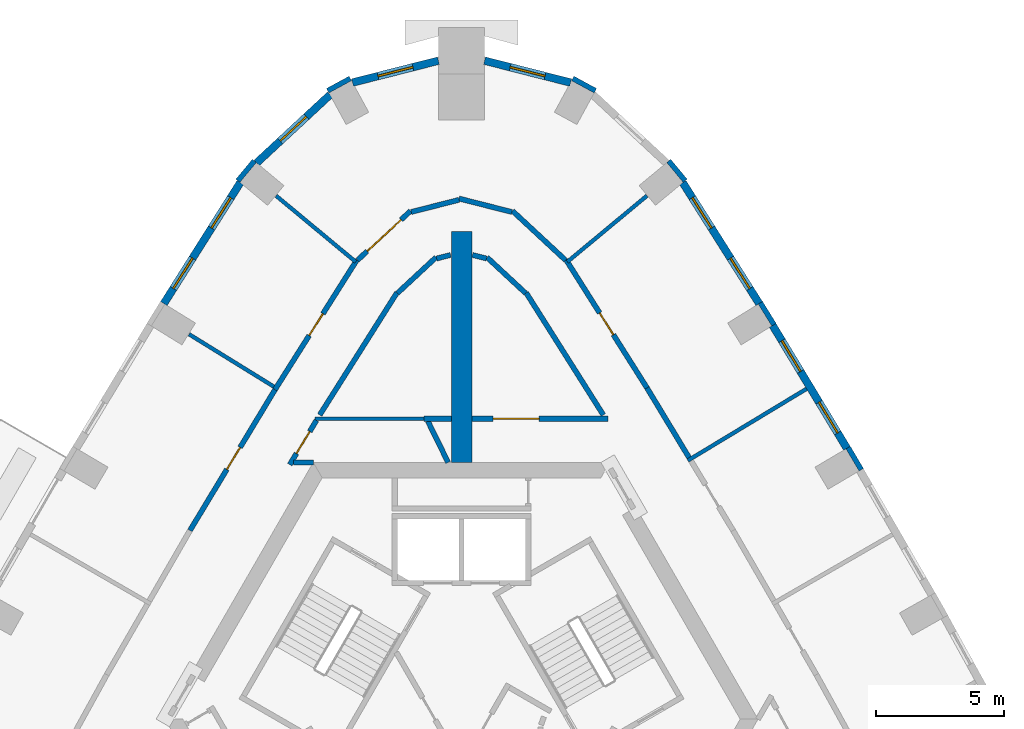
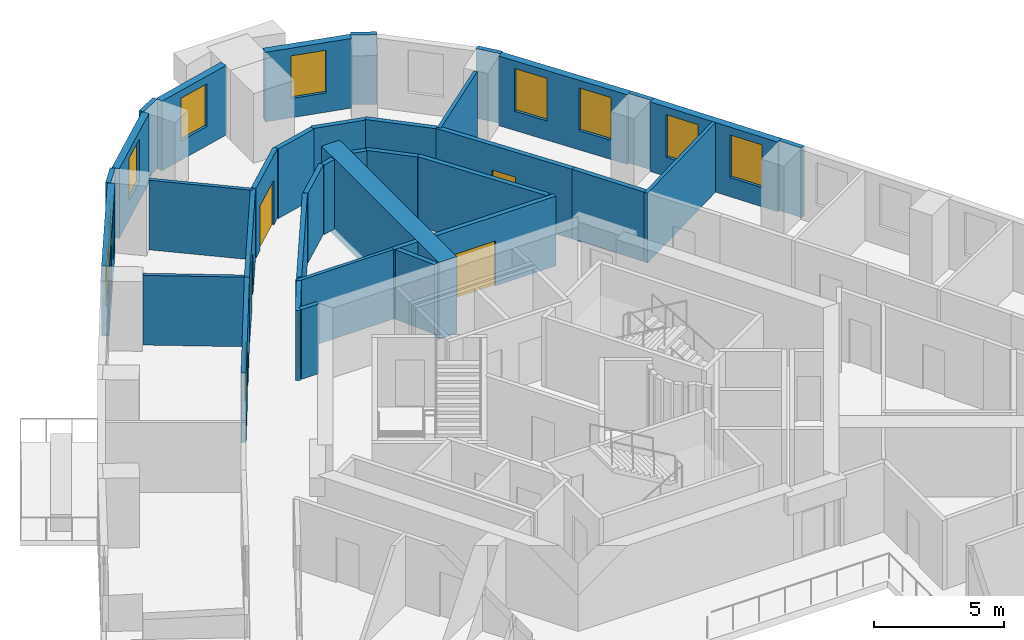
# One storey, part 8 of 11: 37 walls, 9 windows, 6 doors, 15 openings.
"""IFC4 building model written with IfcOpenShell, lengths in metres."""

from ifc_helpers import new_model, si_unit, direction, frame, frame_2d, origin, place, context, subcontext, project, spatial, rectangle, extrude, material, layer, layer_set, type_object, element, fill, save


model = new_model("IFC4")

# Units and contexts
model_context = context("Model", 3, precision=1e-05, world=origin(), true_north=direction((0.0, 1.0)))
body_context = subcontext(model_context, "Body", "Model", "MODEL_VIEW")
ifc_project = project(units=[si_unit("LENGTHUNIT", "METRE"), si_unit("AREAUNIT", "SQUARE_METRE"), si_unit("VOLUMEUNIT", "CUBIC_METRE"), si_unit("PLANEANGLEUNIT", "RADIAN"), si_unit("MASSUNIT", "GRAM", prefix="KILO")], contexts=[model_context])

# Site, building, storey
site_placement = place(None, origin())
site = spatial("IfcSite", under=ifc_project, at=site_placement, CompositionType="ELEMENT")
building_placement = place(site_placement, origin())
building = spatial("IfcBuilding", under=site, at=building_placement, Name="Entoto Arch Interchange Tower", CompositionType="ELEMENT")
storey_placement = place(building_placement, frame((0.0, 0.0, 248.60009765625)))
storey = spatial("IfcBuildingStorey", under=building, at=storey_placement, Name="L56", CompositionType="ELEMENT", Elevation=248.60009765625)

# Walls
ifc_material_1 = material(Name="Concrete C40/50", Category="concrete")
ifc_layer_1 = layer(ifc_material_1, 0.800048828125)
ifc_layer_set_1 = layer_set([ifc_layer_1], Name="Concrete C40/50")
wall_type_1 = type_object("IfcWallType", Name="Buttress wall 800 C40/50", PredefinedType="SHEAR", material=ifc_layer_set_1)
wall_1_placement = place(storey_placement, frame((0.0, 12.5, -0.340087890625), z_axis=(0.0, 0.0, 1.0), x_axis=(0.0, 1.0, 0.0)))
element("IfcWall", 1, at=wall_1_placement, inside=storey, type_object=wall_type_1, Name="Buttress wall N L56", PredefinedType="SHEAR", context=body_context, shape_type="SweptSolid", body=[
    extrude(rectangle(XDim=9.0, YDim=0.800048828125, at=frame_2d((4.5, 0.0))), origin(), (0.0, 0.0, 1.0), 3.60009765625),
])
ifc_material_2 = material(Name="Gypsum board partition on steel studs", Category="steel")
ifc_layer_2 = layer(ifc_material_2, 0.14990234375)
ifc_layer_set_2 = layer_set([ifc_layer_2], Name="Gypsum board partition on steel studs")
wall_type_2 = type_object("IfcWallType", Name="PARTITION 150", PredefinedType="PARTITIONING", material=ifc_layer_set_2)
wall_2_placement = place(storey_placement, frame((-1.45703125, 14.199951171875, 0.0), z_axis=(0.0, 0.0, 1.0), x_axis=(-1.0, 0.0, 0.0)))
element("IfcWall", 2, at=wall_2_placement, inside=storey, type_object=wall_type_2, Name="wall:L56:p071", PredefinedType="PARTITIONING", context=body_context, shape_type="SweptSolid", body=[
    extrude(rectangle(XDim=4.25390625, YDim=0.14990234375, at=frame_2d((2.126953125, 0.0))), origin(), (0.0, 0.0, 1.0), 3.260009765625),
])
wall_3_placement = place(storey_placement, frame((8.81396484375, 12.572021484375, 0.0), z_axis=(0.0, 0.0, 1.0), x_axis=(0.855957229262, 0.517046633945, 0.0)))
element("IfcWall", 3, at=wall_3_placement, inside=storey, type_object=wall_type_2, Name="wall:L56:p107", PredefinedType="PARTITIONING", context=body_context, shape_type="SweptSolid", body=[
    extrude(rectangle(XDim=5.39990234375, YDim=0.14990234375, at=frame_2d((2.699951171875, 0.0))), origin(), (0.0, 0.0, 1.0), 3.260009765625),
])
for number, where, z_axis, x_axis, name in (
    (4, (4.12109375, 20.31005859375, 0.0), (0.0, 0.0, 1.0), (0.769367727798, 0.638806151679, 0.0), "wall:L56:p108"),
    (5, (-4.12109375, 20.31005859375, 0.0), (0.0, 0.0, 1.0), (-0.769367727798, 0.638806151679, 0.0), "wall:L56:p109"),
):
    element("IfcWall", number, at=place(storey_placement, frame(where, z_axis=z_axis, x_axis=x_axis)), inside=storey, type_object=wall_type_2, Name=name, PredefinedType="PARTITIONING", context=body_context, shape_type="SweptSolid", body=[
        extrude(rectangle(XDim=4.02783203125, YDim=0.14990234375, at=frame_2d((2.013916015625, 0.0))), origin(), (0.0, 0.0, 1.0), 3.260009765625),
    ])
wall_4_placement = place(storey_placement, frame((-7.30908203125, 15.450927734375, 0.0), z_axis=(0.0, 0.0, 1.0), x_axis=(-0.850775656528, 0.525529049872, 0.0)))
element("IfcWall", 6, at=wall_4_placement, inside=storey, type_object=wall_type_2, Name="wall:L56:p110", PredefinedType="PARTITIONING", context=body_context, shape_type="SweptSolid", body=[
    extrude(rectangle(XDim=3.880126953125, YDim=0.14990234375, at=frame_2d((1.93994140625, 0.0))), origin(), (0.0, 0.0, 1.0), 3.260009765625),
])
ifc_layer_3 = layer(ifc_material_2, 0.199951171875)
ifc_layer_set_3 = layer_set([ifc_layer_3], Name="Gypsum board partition on steel studs")
wall_type_3 = type_object("IfcWallType", Name="PARTITION 200", PredefinedType="PARTITIONING", material=ifc_layer_set_3)
wall_5_placement = place(storey_placement, frame((-0.52294921875, 12.5, 0.0), z_axis=(0.0, 0.0, 1.0), x_axis=(-0.440503659888, 0.897750814884, 0.0)))
element("IfcWall", 7, at=wall_5_placement, inside=storey, type_object=wall_type_3, Name="wall:L56:p001", PredefinedType="PARTITIONING", context=body_context, shape_type="SweptSolid", body=[
    extrude(rectangle(XDim=1.79345703125, YDim=0.199951171875, at=frame_2d((0.896728515625, 0.0))), origin(), (0.0, 0.0, 1.0), 3.260009765625),
])

# Wall, opening, door
wall_6_placement = place(storey_placement, frame((-5.64990234375, 14.135986328125, 0.0), z_axis=(0.0, 0.0, 1.0), x_axis=(-0.516869099034, -0.856064445275, 0.0)))
wall_6 = element("IfcWall", 8, at=wall_6_placement, inside=storey, type_object=wall_type_3, Name="wall:L56:p002", PredefinedType="PARTITIONING", context=body_context, shape_type="SweptSolid", body=[
    extrude(rectangle(XDim=2.01025390625, YDim=0.199951171875, at=frame_2d((1.005126953125, 0.0))), origin(), (0.0, 0.0, 1.0), 3.260009765625),
])
opening_1_placement = place(wall_6_placement, frame((0.5048828125, 0.0, 0.0)))
opening_1 = element("IfcOpeningElement", 9, at=opening_1_placement, cuts=wall_6, Name="Opening L56-D24", PredefinedType="OPENING", context=body_context, shape_type="SweptSolid", body=[
    extrude(rectangle(XDim=1.0, YDim=2.10009765625, at=frame_2d((0.5, 1.050048828125))), frame((0.0, 0.10986328125, 0.0), z_axis=(0.0, -1.0, 0.0), x_axis=(1.0, 0.0, 0.0)), (0.0, 0.0, 1.0), 0.219970703125),
])
ifc_material_3 = material(Name="Timber door leaf in Steel S235 frame", Category="steel")
door_type_1 = type_object("IfcDoorType", Name="DOOR DS-10 1000x2100", OperationType="SINGLE_SWING_LEFT", PredefinedType="DOOR", material=ifc_material_3)
door_1_placement = place(opening_1_placement, origin())
door_1 = element("IfcDoor", 10, at=door_1_placement, inside=storey, type_object=door_type_1, Name="door:L56:24", OperationType="SINGLE_SWING_LEFT", OverallHeight=2.10009765625, OverallWidth=1.0, PredefinedType="DOOR", context=body_context, shape_type="SweptSolid", body=[
    extrude(rectangle(XDim=1.0, YDim=2.10009765625, at=frame_2d((0.5, 1.050048828125))), frame((0.0, 0.02490234375, 0.0), z_axis=(0.0, -1.0, 0.0), x_axis=(1.0, 0.0, 0.0)), (0.0, 0.0, 1.0), 0.050048828125),
])
fill(opening_1, door_1)

# Walls
wall_7_placement = place(storey_placement, frame((-6.537109375, 12.5009765625, 0.0), z_axis=(0.0, 0.0, 1.0), x_axis=(1.0, 0.0, 0.0)))
element("IfcWall", 11, at=wall_7_placement, inside=storey, type_object=wall_type_3, Name="wall:L56:p003", PredefinedType="PARTITIONING", context=body_context, shape_type="SweptSolid", body=[
    extrude(rectangle(XDim=0.76611328125, YDim=0.199951171875, at=frame_2d((0.383056640625, 0.0))), origin(), (0.0, 0.0, 1.0), 3.260009765625),
])
wall_8_placement = place(storey_placement, frame((-1.45703125, 14.199951171875, 0.0), z_axis=(0.0, 0.0, 1.0), x_axis=(1.0, 0.0, 0.0)))
element("IfcWall", 12, at=wall_8_placement, inside=storey, type_object=wall_type_3, Name="wall:L56:p006", PredefinedType="PARTITIONING", context=body_context, shape_type="SweptSolid", body=[
    extrude(rectangle(XDim=1.05712890625, YDim=0.199951171875, at=frame_2d((0.528564453125, 0.0))), origin(), (0.0, 0.0, 1.0), 3.260009765625),
])
wall_9_placement = place(storey_placement, frame((5.52197265625, 14.347900390625, 0.0), z_axis=(0.0, 0.0, 1.0), x_axis=(-0.534090914267, 0.845427049069, 0.0)))
element("IfcWall", 13, at=wall_9_placement, inside=storey, type_object=wall_type_3, Name="wall:L56:p007", PredefinedType="PARTITIONING", context=body_context, shape_type="SweptSolid", body=[
    extrude(rectangle(XDim=5.6279296875, YDim=0.199951171875, at=frame_2d((2.81396484375, 0.0))), origin(), (0.0, 0.0, 1.0), 3.260009765625),
])
wall_10_placement = place(storey_placement, frame((2.49609375, 19.090087890625, 0.0), z_axis=(0.0, 0.0, 1.0), x_axis=(-0.732801987597, 0.680441949746, 0.0)))
element("IfcWall", 14, at=wall_10_placement, inside=storey, type_object=wall_type_3, Name="wall:L56:p008", PredefinedType="PARTITIONING", context=body_context, shape_type="SweptSolid", body=[
    extrude(rectangle(XDim=2.046875, YDim=0.199951171875, at=frame_2d((1.0234375, 0.0))), origin(), (0.0, 0.0, 1.0), 3.260009765625),
])
for number, where, z_axis, x_axis, name in (
    (15, (0.971923828125, 20.43896484375, 0.0), (0.0, 0.0, 1.0), (-0.969219298128, 0.246199009212, 0.0), "wall:L56:p009"),
    (16, (-0.425048828125, 20.577880859375, 0.0), (0.0, 0.0, 1.0), (-0.969219298128, -0.246199009212, 0.0), "wall:L56:p010"),
):
    element("IfcWall", number, at=place(storey_placement, frame(where, z_axis=z_axis, x_axis=x_axis)), inside=storey, type_object=wall_type_3, Name=name, PredefinedType="PARTITIONING", context=body_context, shape_type="SweptSolid", body=[
        extrude(rectangle(XDim=0.564208984375, YDim=0.199951171875, at=frame_2d((0.2822265625, 0.0))), origin(), (0.0, 0.0, 1.0), 3.260009765625),
    ])
wall_11_placement = place(storey_placement, frame((-0.99609375, 20.48291015625, 0.0), z_axis=(0.0, 0.0, 1.0), x_axis=(-0.732801987597, -0.680441949746, 0.0)))
element("IfcWall", 17, at=wall_11_placement, inside=storey, type_object=wall_type_3, Name="wall:L56:p011", PredefinedType="PARTITIONING", context=body_context, shape_type="SweptSolid", body=[
    extrude(rectangle(XDim=2.046875, YDim=0.199951171875, at=frame_2d((1.0234375, 0.0))), origin(), (0.0, 0.0, 1.0), 3.260009765625),
])
wall_12_placement = place(storey_placement, frame((-2.51611328125, 19.10595703125, 0.0), z_axis=(0.0, 0.0, 1.0), x_axis=(-0.534090914267, -0.845427049069, 0.0)))
element("IfcWall", 18, at=wall_12_placement, inside=storey, type_object=wall_type_3, Name="wall:L56:p012", PredefinedType="PARTITIONING", context=body_context, shape_type="SweptSolid", body=[
    extrude(rectangle(XDim=5.6279296875, YDim=0.199951171875, at=frame_2d((2.81396484375, 0.0))), origin(), (0.0, 0.0, 1.0), 3.260009765625),
])

# Wall, opening, door
wall_13_placement = place(storey_placement, frame((4.068115234375, 20.39501953125, 0.0), z_axis=(0.0, 0.0, 1.0), x_axis=(0.534062936615, -0.845444723051, 0.0)))
wall_13 = element("IfcWall", 19, at=wall_13_placement, inside=storey, type_object=wall_type_3, Name="wall:L56:p045", PredefinedType="PARTITIONING", context=body_context, shape_type="SweptSolid", body=[
    extrude(rectangle(XDim=5.909423828125, YDim=0.199951171875, at=frame_2d((2.95458984375, 0.0))), origin(), (0.0, 0.0, 1.0), 3.260009765625),
])
opening_2_placement = place(wall_13_placement, frame((2.455078125, 0.0, 0.0)))
opening_2 = element("IfcOpeningElement", 20, at=opening_2_placement, cuts=wall_13, Name="Opening L56-D06", PredefinedType="OPENING", context=body_context, shape_type="SweptSolid", body=[
    extrude(rectangle(XDim=1.0, YDim=2.10009765625, at=frame_2d((0.5, 1.050048828125))), frame((0.0, 0.10986328125, 0.0), z_axis=(0.0, -1.0, 0.0), x_axis=(1.0, 0.0, 0.0)), (0.0, 0.0, 1.0), 0.219970703125),
])
door_2_placement = place(opening_2_placement, origin())
door_2 = element("IfcDoor", 21, at=door_2_placement, inside=storey, type_object=door_type_1, Name="door:L56:06", OperationType="SINGLE_SWING_LEFT", OverallHeight=2.10009765625, OverallWidth=1.0, PredefinedType="DOOR", context=body_context, shape_type="SweptSolid", body=[
    extrude(rectangle(XDim=1.0, YDim=2.10009765625, at=frame_2d((0.5, 1.050048828125))), frame((0.0, 0.02490234375, 0.0), z_axis=(0.0, -1.0, 0.0), x_axis=(1.0, 0.0, 0.0)), (0.0, 0.0, 1.0), 0.050048828125),
])
fill(opening_2, door_2)

# Wall
wall_14_placement = place(storey_placement, frame((7.22412109375, 15.39892578125, 0.0), z_axis=(0.0, 0.0, 1.0), x_axis=(0.51690854001, -0.856040630615, 0.0)))
element("IfcWall", 22, at=wall_14_placement, inside=storey, type_object=wall_type_3, Name="wall:L56:p046", PredefinedType="PARTITIONING", context=body_context, shape_type="SweptSolid", body=[
    extrude(rectangle(XDim=3.166748046875, YDim=0.199951171875, at=frame_2d((1.58349609375, 0.0))), origin(), (0.0, 0.0, 1.0), 3.260009765625),
])

# Wall, opening, door
wall_15_placement = place(storey_placement, frame((-4.048095703125, 20.3779296875, 0.0), z_axis=(0.0, 0.0, 1.0), x_axis=(0.732913830966, 0.680321480169, 0.0)))
wall_15 = element("IfcWall", 23, at=wall_15_placement, inside=storey, type_object=wall_type_3, Name="wall:L56:p047", PredefinedType="PARTITIONING", context=body_context, shape_type="SweptSolid", body=[
    extrude(rectangle(XDim=2.81787109375, YDim=0.199951171875, at=frame_2d((1.408935546875, 0.0))), origin(), (0.0, 0.0, 1.0), 3.260009765625),
])
opening_3_placement = place(wall_15_placement, frame((0.509033203125, 0.0, 0.0)))
opening_3 = element("IfcOpeningElement", 24, at=opening_3_placement, cuts=wall_15, Name="Opening L56-D07", PredefinedType="OPENING", context=body_context, shape_type="SweptSolid", body=[
    extrude(rectangle(XDim=1.800048828125, YDim=2.10009765625, at=frame_2d((0.89990234375, 1.050048828125))), frame((0.0, 0.10986328125, 0.0), z_axis=(0.0, -1.0, 0.0), x_axis=(1.0, 0.0, 0.0)), (0.0, 0.0, 1.0), 0.219970703125),
])
door_type_2 = type_object("IfcDoorType", Name="DOOR DD-18 1800x2100", OperationType="DOUBLE_DOOR_SINGLE_SWING", PredefinedType="DOOR", material=ifc_material_3)
door_3_placement = place(opening_3_placement, origin())
door_3 = element("IfcDoor", 25, at=door_3_placement, inside=storey, type_object=door_type_2, Name="door:L56:07", OperationType="DOUBLE_DOOR_SINGLE_SWING", OverallHeight=2.10009765625, OverallWidth=1.800048828125, PredefinedType="DOOR", context=body_context, shape_type="SweptSolid", body=[
    extrude(rectangle(XDim=1.800048828125, YDim=2.10009765625, at=frame_2d((0.89990234375, 1.050048828125))), frame((0.0, 0.02490234375, 0.0), z_axis=(0.0, -1.0, 0.0), x_axis=(1.0, 0.0, 0.0)), (0.0, 0.0, 1.0), 0.050048828125),
])
fill(opening_3, door_3)

# Walls
wall_16_placement = place(storey_placement, frame((-1.958984375, 22.251953125, 0.0), z_axis=(0.0, 0.0, 1.0), x_axis=(0.969079499141, 0.246748706875, 0.0)))
element("IfcWall", 26, at=wall_16_placement, inside=storey, type_object=wall_type_3, Name="wall:L56:p048", PredefinedType="PARTITIONING", context=body_context, shape_type="SweptSolid", body=[
    extrude(rectangle(XDim=1.92138671875, YDim=0.199951171875, at=frame_2d((0.960693359375, 0.0))), origin(), (0.0, 0.0, 1.0), 3.260009765625),
])
wall_17_placement = place(storey_placement, frame((-0.096923828125, 22.77490234375, 0.0), z_axis=(0.0, 0.0, 1.0), x_axis=(0.969139178222, -0.246514204934, 0.0)))
element("IfcWall", 27, at=wall_17_placement, inside=storey, type_object=wall_type_3, Name="wall:L56:p049", PredefinedType="PARTITIONING", context=body_context, shape_type="SweptSolid", body=[
    extrude(rectangle(XDim=2.121337890625, YDim=0.199951171875, at=frame_2d((1.060546875, 0.0))), origin(), (0.0, 0.0, 1.0), 3.260009765625),
])
wall_18_placement = place(storey_placement, frame((1.98291015625, 22.294921875, 0.0), z_axis=(0.0, 0.0, 1.0), x_axis=(0.732913830966, -0.680321480169, 0.0)))
element("IfcWall", 28, at=wall_18_placement, inside=storey, type_object=wall_type_3, Name="wall:L56:p050", PredefinedType="PARTITIONING", context=body_context, shape_type="SweptSolid", body=[
    extrude(rectangle(XDim=2.81787109375, YDim=0.199951171875, at=frame_2d((1.408935546875, 0.0))), origin(), (0.0, 0.0, 1.0), 3.260009765625),
])

# Wall, opening, door
wall_19_placement = place(storey_placement, frame((-7.263916015625, 15.3349609375, 0.0), z_axis=(0.0, 0.0, 1.0), x_axis=(0.533989921757, 0.845490841737, 0.0)))
wall_19 = element("IfcWall", 29, at=wall_19_placement, inside=storey, type_object=wall_type_3, Name="wall:L56:p051", PredefinedType="PARTITIONING", context=body_context, shape_type="SweptSolid", body=[
    extrude(rectangle(XDim=5.98486328125, YDim=0.199951171875, at=frame_2d((2.992431640625, 0.0))), origin(), (0.0, 0.0, 1.0), 3.260009765625),
])
opening_4_placement = place(wall_19_placement, frame((2.491943359375, 0.0, 0.0)))
opening_4 = element("IfcOpeningElement", 30, at=opening_4_placement, cuts=wall_19, Name="Opening L56-D08", PredefinedType="OPENING", context=body_context, shape_type="SweptSolid", body=[
    extrude(rectangle(XDim=1.0, YDim=2.10009765625, at=frame_2d((0.5, 1.050048828125))), frame((0.0, 0.10986328125, 0.0), z_axis=(0.0, -1.0, 0.0), x_axis=(1.0, 0.0, 0.0)), (0.0, 0.0, 1.0), 0.219970703125),
])
door_4_placement = place(opening_4_placement, origin())
door_4 = element("IfcDoor", 31, at=door_4_placement, inside=storey, type_object=door_type_1, Name="door:L56:08", OperationType="SINGLE_SWING_LEFT", OverallHeight=2.10009765625, OverallWidth=1.0, PredefinedType="DOOR", context=body_context, shape_type="SweptSolid", body=[
    extrude(rectangle(XDim=1.0, YDim=2.10009765625, at=frame_2d((0.5, 1.050048828125))), frame((0.0, 0.02490234375, 0.0), z_axis=(0.0, -1.0, 0.0), x_axis=(1.0, 0.0, 0.0)), (0.0, 0.0, 1.0), 0.050048828125),
])
fill(opening_4, door_4)

wall_20_placement = place(storey_placement, frame((-10.575927734375, 9.84912109375, 0.0), z_axis=(0.0, 0.0, 1.0), x_axis=(0.517026085378, 0.855969641423, 0.0)))
wall_20 = element("IfcWall", 32, at=wall_20_placement, inside=storey, type_object=wall_type_3, Name="wall:L56:p053", PredefinedType="PARTITIONING", context=body_context, shape_type="SweptSolid", body=[
    extrude(rectangle(XDim=6.40771484375, YDim=0.199951171875, at=frame_2d((3.203857421875, 0.0))), origin(), (0.0, 0.0, 1.0), 3.260009765625),
])
opening_5_placement = place(wall_20_placement, frame((2.779052734375, 0.0, 0.0)))
opening_5 = element("IfcOpeningElement", 33, at=opening_5_placement, cuts=wall_20, Name="Opening L56-D09", PredefinedType="OPENING", context=body_context, shape_type="SweptSolid", body=[
    extrude(rectangle(XDim=1.0, YDim=2.10009765625, at=frame_2d((0.5, 1.050048828125))), frame((0.0, 0.10986328125, 0.0), z_axis=(0.0, -1.0, 0.0), x_axis=(1.0, 0.0, 0.0)), (0.0, 0.0, 1.0), 0.219970703125),
])
door_5_placement = place(opening_5_placement, origin())
door_5 = element("IfcDoor", 34, at=door_5_placement, inside=storey, type_object=door_type_1, Name="door:L56:09", OperationType="SINGLE_SWING_LEFT", OverallHeight=2.10009765625, OverallWidth=1.0, PredefinedType="DOOR", context=body_context, shape_type="SweptSolid", body=[
    extrude(rectangle(XDim=1.0, YDim=2.10009765625, at=frame_2d((0.5, 1.050048828125))), frame((0.0, 0.02490234375, 0.0), z_axis=(0.0, -1.0, 0.0), x_axis=(1.0, 0.0, 0.0)), (0.0, 0.0, 1.0), 0.050048828125),
])
fill(opening_5, door_5)

wall_21_placement = place(storey_placement, frame((0.39990234375, 14.199951171875, 0.0), z_axis=(0.0, 0.0, 1.0), x_axis=(1.0, 0.0, 0.0)))
wall_21 = element("IfcWall", 35, at=wall_21_placement, inside=storey, type_object=wall_type_3, Name="wall:L56:p006", PredefinedType="PARTITIONING", context=body_context, shape_type="SweptSolid", body=[
    extrude(rectangle(XDim=5.31103515625, YDim=0.199951171875, at=frame_2d((2.655517578125, 0.0))), origin(), (0.0, 0.0, 1.0), 3.260009765625),
])
opening_6_placement = place(wall_21_placement, frame((0.826904296875, 0.0, 0.0)))
opening_6 = element("IfcOpeningElement", 36, at=opening_6_placement, cuts=wall_21, Name="Opening L56-D18", PredefinedType="OPENING", context=body_context, shape_type="SweptSolid", body=[
    extrude(rectangle(XDim=1.800048828125, YDim=2.10009765625, at=frame_2d((0.89990234375, 1.050048828125))), frame((0.0, 0.10986328125, 0.0), z_axis=(0.0, -1.0, 0.0), x_axis=(1.0, 0.0, 0.0)), (0.0, 0.0, 1.0), 0.219970703125),
])
door_6_placement = place(opening_6_placement, origin())
door_6 = element("IfcDoor", 37, at=door_6_placement, inside=storey, type_object=door_type_2, Name="door:L56:18", OperationType="DOUBLE_DOOR_SINGLE_SWING", OverallHeight=2.10009765625, OverallWidth=1.800048828125, PredefinedType="DOOR", context=body_context, shape_type="SweptSolid", body=[
    extrude(rectangle(XDim=1.800048828125, YDim=2.10009765625, at=frame_2d((0.89990234375, 1.050048828125))), frame((0.0, 0.02490234375, 0.0), z_axis=(0.0, -1.0, 0.0), x_axis=(1.0, 0.0, 0.0)), (0.0, 0.0, 1.0), 0.050048828125),
])
fill(opening_6, door_6)

# Wall, openings, windows
ifc_material_4 = material(Name="Welded tuff (ignimbrite) cladding, warm buff", Category="masonry")
ifc_layer_4 = layer(ifc_material_4, 0.300048828125)
ifc_layer_set_4 = layer_set([ifc_layer_4], Name="Welded tuff (ignimbrite) cladding, warm buff")
wall_type_4 = type_object("IfcWallType", Name="STONE INFILL WALL 300", PredefinedType="STANDARD", material=ifc_layer_set_4)
wall_22_placement = place(storey_placement, frame((15.010986328125, 13.048095703125, 0.0), z_axis=(0.0, 0.0, 1.0), x_axis=(-0.517169592475, 0.855882943293, 0.0)))
wall_22 = element("IfcWall", 38, at=wall_22_placement, inside=storey, type_object=wall_type_4, Name="Facade wall NE-04 L56", PredefinedType="STANDARD", context=body_context, shape_type="SweptSolid", body=[
    extrude(rectangle(XDim=5.593994140625, YDim=0.300048828125, at=frame_2d((2.796875, 0.0))), origin(), (0.0, 0.0, 1.0), 3.260009765625),
])
opening_7_placement = place(wall_22_placement, frame((0.698974609375, 0.0, 0.89990234375)))
opening_7 = element("IfcOpeningElement", 39, at=opening_7_placement, cuts=wall_22, Name="Opening WH-B", PredefinedType="OPENING", context=body_context, shape_type="SweptSolid", body=[
    extrude(rectangle(XDim=1.39990234375, YDim=2.0, at=frame_2d((0.699951171875, 1.0))), frame((0.0, 0.16015625, 0.0), z_axis=(0.0, -1.0, 0.0), x_axis=(1.0, 0.0, 0.0)), (0.0, 0.0, 1.0), 0.320068359375),
])
opening_8_placement = place(wall_22_placement, frame((3.49609375, 0.0, 0.89990234375)))
opening_8 = element("IfcOpeningElement", 40, at=opening_8_placement, cuts=wall_22, Name="Opening WH-B", PredefinedType="OPENING", context=body_context, shape_type="SweptSolid", body=[
    extrude(rectangle(XDim=1.39990234375, YDim=2.0, at=frame_2d((0.699951171875, 1.0))), frame((0.0, 0.16015625, 0.0), z_axis=(0.0, -1.0, 0.0), x_axis=(1.0, 0.0, 0.0)), (0.0, 0.0, 1.0), 0.320068359375),
])
ifc_material_5 = material(Name="Clear glass, low-e double glazed", Category="glass")
window_type = type_object("IfcWindowType", Name="WINDOW WH-B 1400x2000", PartitioningType="DOUBLE_PANEL_VERTICAL", PredefinedType="WINDOW", material=ifc_material_5)
window_1_placement = place(opening_7_placement, origin())
window_1 = element("IfcWindow", 41, at=window_1_placement, inside=storey, type_object=window_type, Name="Window WH-B NE-04 L56", OverallHeight=2.0, OverallWidth=1.39990234375, PartitioningType="SINGLE_PANEL", PredefinedType="WINDOW", context=body_context, shape_type="SweptSolid", body=[
    extrude(rectangle(XDim=1.39990234375, YDim=2.0, at=frame_2d((0.699951171875, 1.0))), frame((0.0, 0.030029296875, 0.0), z_axis=(0.0, -1.0, 0.0), x_axis=(1.0, 0.0, 0.0)), (0.0, 0.0, 1.0), 0.06005859375),
])
fill(opening_7, window_1)
window_2_placement = place(opening_8_placement, origin())
window_2 = element("IfcWindow", 42, at=window_2_placement, inside=storey, type_object=window_type, Name="Window WH-B NE-04 L56", OverallHeight=2.0, OverallWidth=1.39990234375, PartitioningType="SINGLE_PANEL", PredefinedType="WINDOW", context=body_context, shape_type="SweptSolid", body=[
    extrude(rectangle(XDim=1.39990234375, YDim=2.0, at=frame_2d((0.699951171875, 1.0))), frame((0.0, 0.030029296875, 0.0), z_axis=(0.0, -1.0, 0.0), x_axis=(1.0, 0.0, 0.0)), (0.0, 0.0, 1.0), 0.06005859375),
])
fill(opening_8, window_2)

wall_23_placement = place(storey_placement, frame((11.593994140625, 18.68505859375, 0.0), z_axis=(0.0, 0.0, 1.0), x_axis=(-0.534088597203, 0.845428512849, 0.0)))
wall_23 = element("IfcWall", 43, at=wall_23_placement, inside=storey, type_object=wall_type_4, Name="Facade wall NE-05 L56", PredefinedType="STANDARD", context=body_context, shape_type="SweptSolid", body=[
    extrude(rectangle(XDim=5.572265625, YDim=0.300048828125, at=frame_2d((2.7861328125, 0.0))), origin(), (0.0, 0.0, 1.0), 3.260009765625),
])
opening_9_placement = place(wall_23_placement, frame((0.693115234375, 0.0, 0.89990234375)))
opening_9 = element("IfcOpeningElement", 44, at=opening_9_placement, cuts=wall_23, Name="Opening WH-B", PredefinedType="OPENING", context=body_context, shape_type="SweptSolid", body=[
    extrude(rectangle(XDim=1.39990234375, YDim=2.0, at=frame_2d((0.699951171875, 1.0))), frame((0.0, 0.16015625, 0.0), z_axis=(0.0, -1.0, 0.0), x_axis=(1.0, 0.0, 0.0)), (0.0, 0.0, 1.0), 0.320068359375),
])
opening_10_placement = place(wall_23_placement, frame((3.47900390625, 0.0, 0.89990234375)))
opening_10 = element("IfcOpeningElement", 45, at=opening_10_placement, cuts=wall_23, Name="Opening WH-B", PredefinedType="OPENING", context=body_context, shape_type="SweptSolid", body=[
    extrude(rectangle(XDim=1.39990234375, YDim=2.0, at=frame_2d((0.699951171875, 1.0))), frame((0.0, 0.16015625, 0.0), z_axis=(0.0, -1.0, 0.0), x_axis=(1.0, 0.0, 0.0)), (0.0, 0.0, 1.0), 0.320068359375),
])
window_3_placement = place(opening_9_placement, origin())
window_3 = element("IfcWindow", 46, at=window_3_placement, inside=storey, type_object=window_type, Name="Window WH-B NE-05 L56", OverallHeight=2.0, OverallWidth=1.39990234375, PartitioningType="SINGLE_PANEL", PredefinedType="WINDOW", context=body_context, shape_type="SweptSolid", body=[
    extrude(rectangle(XDim=1.39990234375, YDim=2.0, at=frame_2d((0.699951171875, 1.0))), frame((0.0, 0.030029296875, 0.0), z_axis=(0.0, -1.0, 0.0), x_axis=(1.0, 0.0, 0.0)), (0.0, 0.0, 1.0), 0.06005859375),
])
fill(opening_9, window_3)
window_4_placement = place(opening_10_placement, origin())
window_4 = element("IfcWindow", 47, at=window_4_placement, inside=storey, type_object=window_type, Name="Window WH-B NE-05 L56", OverallHeight=2.0, OverallWidth=1.39990234375, PartitioningType="SINGLE_PANEL", PredefinedType="WINDOW", context=body_context, shape_type="SweptSolid", body=[
    extrude(rectangle(XDim=1.39990234375, YDim=2.0, at=frame_2d((0.699951171875, 1.0))), frame((0.0, 0.030029296875, 0.0), z_axis=(0.0, -1.0, 0.0), x_axis=(1.0, 0.0, 0.0)), (0.0, 0.0, 1.0), 0.06005859375),
])
fill(opening_10, window_4)

# Wall, opening, window
wall_24_placement = place(storey_placement, frame((4.2470703125, 27.29296875, 0.0), z_axis=(0.0, 0.0, 1.0), x_axis=(-0.969111301113, 0.24662377431, 0.0)))
wall_24 = element("IfcWall", 48, at=wall_24_placement, inside=storey, type_object=wall_type_4, Name="Facade wall N-02 L56", PredefinedType="STANDARD", context=body_context, shape_type="SweptSolid", body=[
    extrude(rectangle(XDim=3.454833984375, YDim=0.300048828125, at=frame_2d((1.7275390625, 0.0))), origin(), (0.0, 0.0, 1.0), 3.260009765625),
])
opening_11_placement = place(wall_24_placement, frame((1.027099609375, 0.0, 0.89990234375)))
opening_11 = element("IfcOpeningElement", 49, at=opening_11_placement, cuts=wall_24, Name="Opening WH-B", PredefinedType="OPENING", context=body_context, shape_type="SweptSolid", body=[
    extrude(rectangle(XDim=1.39990234375, YDim=2.0, at=frame_2d((0.699951171875, 1.0))), frame((0.0, 0.16015625, 0.0), z_axis=(0.0, -1.0, 0.0), x_axis=(1.0, 0.0, 0.0)), (0.0, 0.0, 1.0), 0.320068359375),
])
window_5_placement = place(opening_11_placement, origin())
window_5 = element("IfcWindow", 50, at=window_5_placement, inside=storey, type_object=window_type, Name="Window WH-B N-02 L56", OverallHeight=2.0, OverallWidth=1.39990234375, PartitioningType="SINGLE_PANEL", PredefinedType="WINDOW", context=body_context, shape_type="SweptSolid", body=[
    extrude(rectangle(XDim=1.39990234375, YDim=2.0, at=frame_2d((0.699951171875, 1.0))), frame((0.0, 0.030029296875, 0.0), z_axis=(0.0, -1.0, 0.0), x_axis=(1.0, 0.0, 0.0)), (0.0, 0.0, 1.0), 0.06005859375),
])
fill(opening_11, window_5)

wall_25_placement = place(storey_placement, frame((-0.89892578125, 28.14501953125, 0.0), z_axis=(0.0, 0.0, 1.0), x_axis=(-0.969111301113, -0.24662377431, 0.0)))
wall_25 = element("IfcWall", 51, at=wall_25_placement, inside=storey, type_object=wall_type_4, Name="Facade wall N-03 L56", PredefinedType="STANDARD", context=body_context, shape_type="SweptSolid", body=[
    extrude(rectangle(XDim=3.454833984375, YDim=0.300048828125, at=frame_2d((1.7275390625, 0.0))), origin(), (0.0, 0.0, 1.0), 3.260009765625),
])
opening_12_placement = place(wall_25_placement, frame((1.027099609375, 0.0, 0.89990234375)))
opening_12 = element("IfcOpeningElement", 52, at=opening_12_placement, cuts=wall_25, Name="Opening WH-B", PredefinedType="OPENING", context=body_context, shape_type="SweptSolid", body=[
    extrude(rectangle(XDim=1.39990234375, YDim=2.0, at=frame_2d((0.699951171875, 1.0))), frame((0.0, 0.16015625, 0.0), z_axis=(0.0, -1.0, 0.0), x_axis=(1.0, 0.0, 0.0)), (0.0, 0.0, 1.0), 0.320068359375),
])
window_6_placement = place(opening_12_placement, origin())
window_6 = element("IfcWindow", 53, at=window_6_placement, inside=storey, type_object=window_type, Name="Window WH-B N-03 L56", OverallHeight=2.0, OverallWidth=1.39990234375, PartitioningType="SINGLE_PANEL", PredefinedType="WINDOW", context=body_context, shape_type="SweptSolid", body=[
    extrude(rectangle(XDim=1.39990234375, YDim=2.0, at=frame_2d((0.699951171875, 1.0))), frame((0.0, 0.030029296875, 0.0), z_axis=(0.0, -1.0, 0.0), x_axis=(1.0, 0.0, 0.0)), (0.0, 0.0, 1.0), 0.06005859375),
])
fill(opening_12, window_6)

wall_26_placement = place(storey_placement, frame((-5.123046875, 26.81591796875, 0.0), z_axis=(0.0, 0.0, 1.0), x_axis=(-0.733038780179, -0.680186846942, 0.0)))
wall_26 = element("IfcWall", 54, at=wall_26_placement, inside=storey, type_object=wall_type_4, Name="Facade wall N-04 L56", PredefinedType="STANDARD", context=body_context, shape_type="SweptSolid", body=[
    extrude(rectangle(XDim=3.898681640625, YDim=0.300048828125, at=frame_2d((1.94921875, 0.0))), origin(), (0.0, 0.0, 1.0), 3.260009765625),
])
opening_13_placement = place(wall_26_placement, frame((1.2490234375, 0.0, 0.89990234375)))
opening_13 = element("IfcOpeningElement", 55, at=opening_13_placement, cuts=wall_26, Name="Opening WH-B", PredefinedType="OPENING", context=body_context, shape_type="SweptSolid", body=[
    extrude(rectangle(XDim=1.39990234375, YDim=2.0, at=frame_2d((0.699951171875, 1.0))), frame((0.0, 0.16015625, 0.0), z_axis=(0.0, -1.0, 0.0), x_axis=(1.0, 0.0, 0.0)), (0.0, 0.0, 1.0), 0.320068359375),
])
window_7_placement = place(opening_13_placement, origin())
window_7 = element("IfcWindow", 56, at=window_7_placement, inside=storey, type_object=window_type, Name="Window WH-B N-04 L56", OverallHeight=2.0, OverallWidth=1.39990234375, PartitioningType="SINGLE_PANEL", PredefinedType="WINDOW", context=body_context, shape_type="SweptSolid", body=[
    extrude(rectangle(XDim=1.39990234375, YDim=2.0, at=frame_2d((0.699951171875, 1.0))), frame((0.0, 0.030029296875, 0.0), z_axis=(0.0, -1.0, 0.0), x_axis=(1.0, 0.0, 0.0)), (0.0, 0.0, 1.0), 0.06005859375),
])
fill(opening_13, window_7)

# Wall, openings, windows
wall_27_placement = place(storey_placement, frame((-8.617919921875, 23.39599609375, 0.0), z_axis=(0.0, 0.0, 1.0), x_axis=(-0.534088597203, -0.845428512849, 0.0)))
wall_27 = element("IfcWall", 57, at=wall_27_placement, inside=storey, type_object=wall_type_4, Name="Facade wall NW-01 L56", PredefinedType="STANDARD", context=body_context, shape_type="SweptSolid", body=[
    extrude(rectangle(XDim=5.572265625, YDim=0.300048828125, at=frame_2d((2.7861328125, 0.0))), origin(), (0.0, 0.0, 1.0), 3.260009765625),
])
opening_14_placement = place(wall_27_placement, frame((0.693115234375, 0.0, 0.89990234375)))
opening_14 = element("IfcOpeningElement", 58, at=opening_14_placement, cuts=wall_27, Name="Opening WH-B", PredefinedType="OPENING", context=body_context, shape_type="SweptSolid", body=[
    extrude(rectangle(XDim=1.39990234375, YDim=2.0, at=frame_2d((0.699951171875, 1.0))), frame((0.0, 0.16015625, 0.0), z_axis=(0.0, -1.0, 0.0), x_axis=(1.0, 0.0, 0.0)), (0.0, 0.0, 1.0), 0.320068359375),
])
opening_15_placement = place(wall_27_placement, frame((3.47900390625, 0.0, 0.89990234375)))
opening_15 = element("IfcOpeningElement", 59, at=opening_15_placement, cuts=wall_27, Name="Opening WH-B", PredefinedType="OPENING", context=body_context, shape_type="SweptSolid", body=[
    extrude(rectangle(XDim=1.39990234375, YDim=2.0, at=frame_2d((0.699951171875, 1.0))), frame((0.0, 0.16015625, 0.0), z_axis=(0.0, -1.0, 0.0), x_axis=(1.0, 0.0, 0.0)), (0.0, 0.0, 1.0), 0.320068359375),
])
window_8_placement = place(opening_14_placement, origin())
window_8 = element("IfcWindow", 60, at=window_8_placement, inside=storey, type_object=window_type, Name="Window WH-B NW-01 L56", OverallHeight=2.0, OverallWidth=1.39990234375, PartitioningType="SINGLE_PANEL", PredefinedType="WINDOW", context=body_context, shape_type="SweptSolid", body=[
    extrude(rectangle(XDim=1.39990234375, YDim=2.0, at=frame_2d((0.699951171875, 1.0))), frame((0.0, 0.030029296875, 0.0), z_axis=(0.0, -1.0, 0.0), x_axis=(1.0, 0.0, 0.0)), (0.0, 0.0, 1.0), 0.06005859375),
])
fill(opening_14, window_8)
window_9_placement = place(opening_15_placement, origin())
window_9 = element("IfcWindow", 61, at=window_9_placement, inside=storey, type_object=window_type, Name="Window WH-B NW-01 L56", OverallHeight=2.0, OverallWidth=1.39990234375, PartitioningType="SINGLE_PANEL", PredefinedType="WINDOW", context=body_context, shape_type="SweptSolid", body=[
    extrude(rectangle(XDim=1.39990234375, YDim=2.0, at=frame_2d((0.699951171875, 1.0))), frame((0.0, 0.030029296875, 0.0), z_axis=(0.0, -1.0, 0.0), x_axis=(1.0, 0.0, 0.0)), (0.0, 0.0, 1.0), 0.06005859375),
])
fill(opening_15, window_9)

# Walls
ifc_layer_5 = layer(ifc_material_4, 0.199951171875)
ifc_layer_set_5 = layer_set([ifc_layer_5], Name="Welded tuff (ignimbrite) cladding, warm buff")
wall_type_5 = type_object("IfcWallType", Name="STONE PIER CLADDING 200", PredefinedType="STANDARD", material=ifc_layer_set_5)
for number, where, z_axis, x_axis, name in (
    (62, (5.2109375, 26.97509765625, 0.0), (0.0, 0.0, 1.0), (-0.878352573164, 0.478013344183, 0.0), "Stone pier N1 L56"),
    (63, (-4.3330078125, 27.452880859375, 0.0), (0.0, 0.0, 1.0), (-0.878352573164, -0.478013344183, 0.0), "Stone pier N3 L56"),
    (64, (15.56591796875, 12.216064453125, 0.0), (0.0, 0.0, 1.0), (-0.508087253435, 0.86130560366, 0.0), "Stone pier NE04 L56"),
):
    element("IfcWall", number, at=place(storey_placement, frame(where, z_axis=z_axis, x_axis=x_axis)), inside=storey, type_object=wall_type_5, Name=name, PredefinedType="STANDARD", context=body_context, shape_type="SweptSolid", body=[
        extrude(rectangle(XDim=0.99951171875, YDim=0.199951171875, at=frame_2d((0.499755859375, 0.0))), origin(), (0.0, 0.0, 1.0), 3.260009765625),
    ])
wall_28_placement = place(storey_placement, frame((12.166015625, 17.864013671875, 0.0), z_axis=(0.0, 0.0, 1.0), x_axis=(-0.525825307325, 0.850592585306, 0.0)))
element("IfcWall", 65, at=wall_28_placement, inside=storey, type_object=wall_type_5, Name="Stone pier NE05 L56", PredefinedType="STANDARD", context=body_context, shape_type="SweptSolid", body=[
    extrude(rectangle(XDim=1.00048828125, YDim=0.199951171875, at=frame_2d((0.500244140625, 0.0))), origin(), (0.0, 0.0, 1.0), 3.260009765625),
])
for number, where, z_axis, x_axis, name in (
    (66, (8.7080078125, 23.468994140625, 0.0), (0.0, 0.0, 1.0), (-0.637972365578, 0.770059257953, 0.0), "Stone pier NE06 L56"),
    (67, (-8.070068359375, 24.239013671875, 0.0), (0.0, 0.0, 1.0), (-0.637972365578, -0.770059257953, 0.0), "Stone pier NW01 L56"),
):
    element("IfcWall", number, at=place(storey_placement, frame(where, z_axis=z_axis, x_axis=x_axis)), inside=storey, type_object=wall_type_5, Name=name, PredefinedType="STANDARD", context=body_context, shape_type="SweptSolid", body=[
        extrude(rectangle(XDim=1.0, YDim=0.199951171875, at=frame_2d((0.5, 0.0))), origin(), (0.0, 0.0, 1.0), 3.260009765625),
    ])

save(model, "model.ifc")
